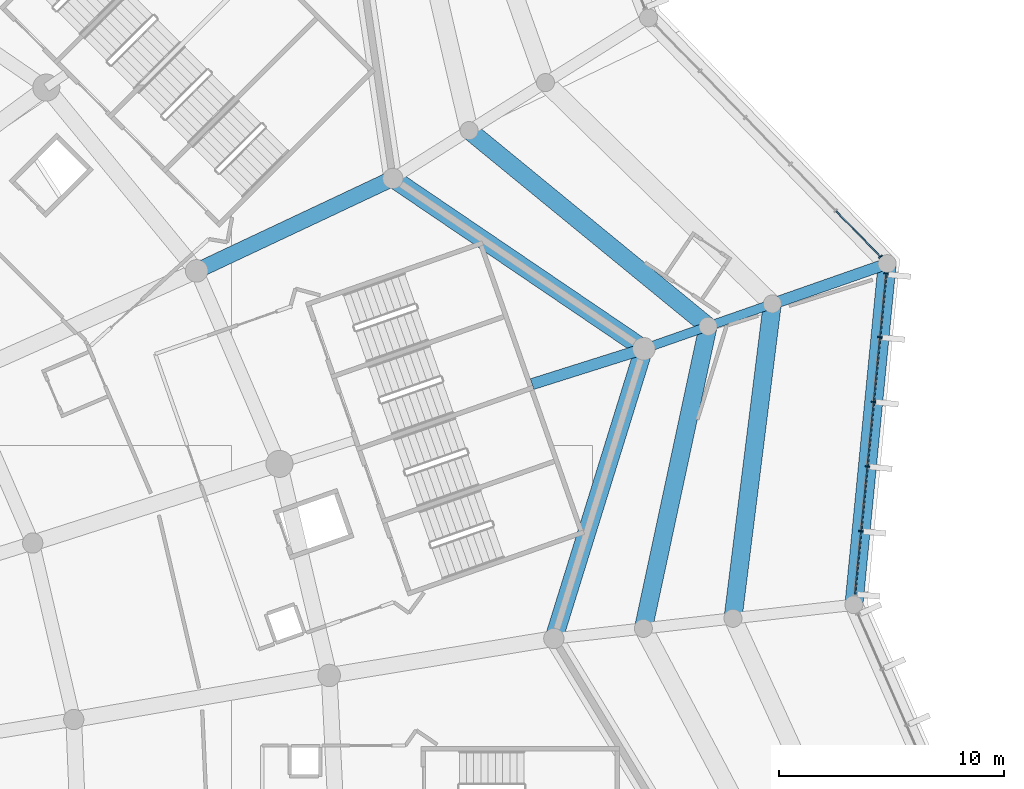
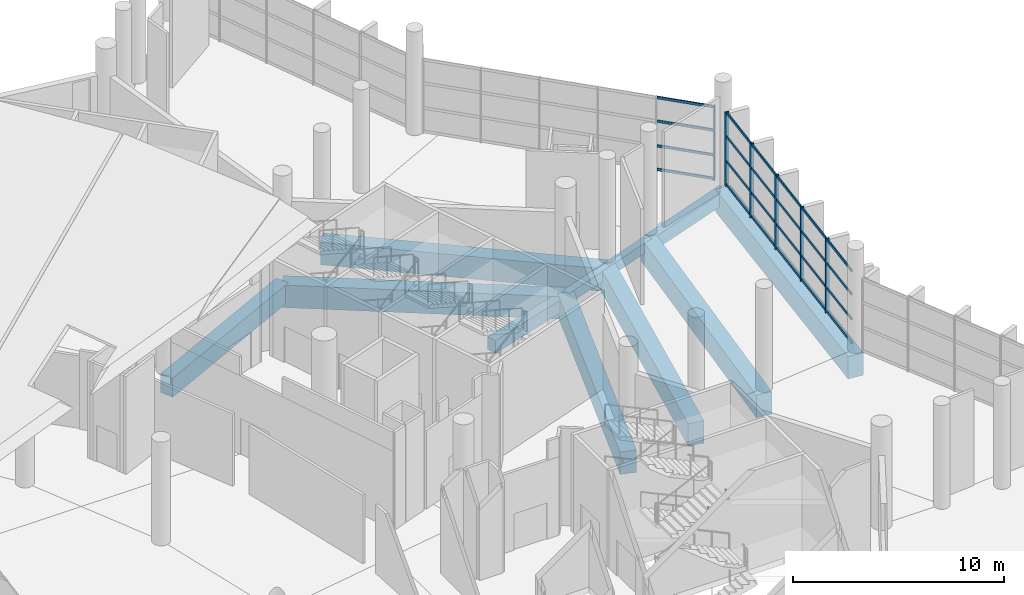
# One storey, part 84 of 249: 30 members, 11 beams, 2 elements without a shape of their own.
"""IFC4 building model written with IfcOpenShell, lengths in metres."""

from ifc_helpers import new_model, si_unit, direction, frame, origin, origin_2d, place, context, subcontext, project, spatial, rectangle, extrude, material, layer, layer_set, material_profile, profile_set, type_object, element, aggregate, save


model = new_model("IFC4")

# Units and contexts
model_context = context("Model", 3, precision=1e-05, world=origin(), true_north=direction((0.0, 1.0)))
body_context = subcontext(model_context, "Body", "Model", "MODEL_VIEW")
ifc_project = project(units=[si_unit("LENGTHUNIT", "METRE"), si_unit("AREAUNIT", "SQUARE_METRE"), si_unit("VOLUMEUNIT", "CUBIC_METRE"), si_unit("PLANEANGLEUNIT", "RADIAN"), si_unit("MASSUNIT", "GRAM", prefix="KILO")], contexts=[model_context])

# Site, building, storey
site_placement = place(None, origin())
site = spatial("IfcSite", under=ifc_project, at=site_placement, CompositionType="ELEMENT")
building_placement = place(site_placement, origin())
building = spatial("IfcBuilding", under=site, at=building_placement, Name="Meseta Stadium", CompositionType="ELEMENT")
storey_placement = place(building_placement, frame((0.0, 0.0, 12.0)))
storey = spatial("IfcBuildingStorey", under=building, at=storey_placement, Name="L02", CompositionType="ELEMENT", Elevation=12.0)

# Beams
ifc_material_1 = material(Name="Concrete C40/50", Category="concrete")
ifc_material_profile_1 = material_profile(ifc_material_1, rectangle(XDim=0.39990234375, YDim=0.60009765625, at=origin_2d()), Name="RC 400x600")
ifc_profile_set_1 = profile_set([ifc_material_profile_1], Name="Concrete C40/50")
beam_type_1 = type_object("IfcBeamType", Name="RC beam 400x600", PredefinedType="BEAM", material=ifc_profile_set_1)
beam_1_placement = place(storey_placement, frame((98.291015625, 68.297607421875, -0.64990234375), z_axis=(0.943904999317, 0.33021712897, 0.0), x_axis=(-0.33021712897, 0.943904999317, 0.0)))
element("IfcBeam", 1, at=beam_1_placement, inside=storey, type_object=beam_type_1, Name="L02 radial beam frame 10 line R to M", PredefinedType="BEAM", context=body_context, shape_type="SweptSolid", body=[
    extrude(rectangle(XDim=0.39990234375, YDim=0.60009765625, at=origin_2d()), origin(), (0.0, 0.0, 1.0), 3.018798828125),
])
beam_2_placement = place(storey_placement, frame((101.140380859375, 69.29443359375, -0.64990234375), z_axis=(0.943888610281, 0.330263972274, 0.0), x_axis=(-0.330263972274, 0.943888610281, 0.0)))
element("IfcBeam", 2, at=beam_2_placement, inside=storey, type_object=beam_type_1, Name="L02 radial beam frame 10 line M to Q", PredefinedType="BEAM", context=body_context, shape_type="SweptSolid", body=[
    extrude(rectangle(XDim=0.39990234375, YDim=0.60009765625, at=origin_2d()), origin(), (0.0, 0.0, 1.0), 3.01904296875),
])
ifc_material_2 = material(Name="Concrete C40/50", Category="concrete")
ifc_material_profile_2 = material_profile(ifc_material_2, rectangle(XDim=0.5, YDim=0.75, at=origin_2d()), Name="RC 500x750")
ifc_profile_set_2 = profile_set([ifc_material_profile_2], Name="Concrete C40/50")
beam_type_2 = type_object("IfcBeamType", Name="RC beam 500x750", PredefinedType="BEAM", material=ifc_profile_set_2)
beam_3_placement = place(storey_placement, frame((93.330078125, 66.73095703125, -0.72509765625), z_axis=(0.953580537384, 0.301138105728, 0.0), x_axis=(-0.301138105728, 0.953580537384, 0.0)))
element("IfcBeam", 3, at=beam_3_placement, inside=storey, type_object=beam_type_2, Name="L02 radial beam frame 10 line P to R", PredefinedType="BEAM", context=body_context, shape_type="SweptSolid", body=[
    extrude(rectangle(XDim=0.5, YDim=0.75, at=origin_2d()), origin(), (0.0, 0.0, 1.0), 5.202392578125),
])
beam_4_placement = place(storey_placement, frame((103.989990234375, 70.29150390625, -0.72509765625), z_axis=(0.943871747737, 0.330312161181, 0.0), x_axis=(-0.330312161181, 0.943871747737, 0.0)))
element("IfcBeam", 4, at=beam_4_placement, inside=storey, type_object=beam_type_2, Name="L02 radial beam frame 10 line Q to O", PredefinedType="BEAM", context=body_context, shape_type="SweptSolid", body=[
    extrude(rectangle(XDim=0.5, YDim=0.75, at=origin_2d()), origin(), (0.0, 0.0, 1.0), 5.39990234375),
])
ifc_material_3 = material(Name="Concrete C40/50", Category="concrete")
ifc_material_profile_3 = material_profile(ifc_material_3, rectangle(XDim=0.699951171875, YDim=1.10009765625, at=origin_2d()), Name="RC 700x1100")
ifc_profile_set_3 = profile_set([ifc_material_profile_3], Name="Concrete C40/50")
beam_type_3 = type_object("IfcBeamType", Name="RC beam 700x1100", PredefinedType="BEAM", material=ifc_profile_set_3)
beam_5_placement = place(storey_placement, frame((78.4453125, 71.756103515625, -0.89990234375), z_axis=(0.904664550747, 0.426124454382, 0.0), x_axis=(-0.426124454382, 0.904664550747, 0.0)))
element("IfcBeam", 5, at=beam_5_placement, inside=storey, type_object=beam_type_3, Name="L02 radial beam frame 11 line P to R", PredefinedType="BEAM", context=body_context, shape_type="SweptSolid", body=[
    extrude(rectangle(XDim=0.699951171875, YDim=1.10009765625, at=origin_2d()), origin(), (0.0, 0.0, 1.0), 9.623046875),
])
ifc_material_4 = material(Name="Concrete C40/50", Category="concrete")
ifc_material_profile_4 = material_profile(ifc_material_4, rectangle(XDim=0.800048828125, YDim=1.300048828125, at=origin_2d()), Name="RC 800x1300")
ifc_profile_set_4 = profile_set([ifc_material_profile_4], Name="Concrete C40/50")
beam_type_4 = type_object("IfcBeamType", Name="RC beam 800x1300", PredefinedType="BEAM", material=ifc_profile_set_4)
beam_6_placement = place(storey_placement, frame((94.29443359375, 55.44140625, -1.0), z_axis=(0.296854913016, 0.954922594045, 0.0), x_axis=(-0.954922594045, 0.296854913016, 0.0)))
element("IfcBeam", 6, at=beam_6_placement, inside=storey, type_object=beam_type_4, Name="L02 ring beam frame 9 line R", PredefinedType="BEAM", context=body_context, shape_type="SweptSolid", body=[
    extrude(rectangle(XDim=0.800048828125, YDim=1.300048828125, at=origin_2d()), origin(), (0.0, 0.0, 1.0), 13.463134765625),
])
beam_7_placement = place(storey_placement, frame((98.291015625, 68.297607421875, -1.0), z_axis=(-0.827486005705, 0.561486340317, 0.0), x_axis=(-0.561486340317, -0.827486005705, 0.0)))
element("IfcBeam", 7, at=beam_7_placement, inside=storey, type_object=beam_type_4, Name="L02 ring beam frame 10 line R", PredefinedType="BEAM", context=body_context, shape_type="SweptSolid", body=[
    extrude(rectangle(XDim=0.800048828125, YDim=1.300048828125, at=origin_2d()), origin(), (0.0, 0.0, 1.0), 13.462646484375),
])
beam_8_placement = place(storey_placement, frame((98.269287109375, 55.889404296875, -1.0), z_axis=(0.209430575028, 0.977823518966, 0.0), x_axis=(-0.977823518966, 0.209430575028, 0.0)))
element("IfcBeam", 8, at=beam_8_placement, inside=storey, type_object=beam_type_4, Name="L02 ring beam frame 9 line M", PredefinedType="BEAM", context=body_context, shape_type="SweptSolid", body=[
    extrude(rectangle(XDim=0.800048828125, YDim=1.300048828125, at=origin_2d()), origin(), (0.0, 0.0, 1.0), 13.708984375),
])
beam_9_placement = place(storey_placement, frame((102.244140625, 56.337158203125, -1.0), z_axis=(0.124143703283, 0.99226424955, 0.0), x_axis=(-0.99226424955, 0.124143703283, 0.0)))
element("IfcBeam", 9, at=beam_9_placement, inside=storey, type_object=beam_type_4, Name="L02 ring beam frame 9 line Q", PredefinedType="BEAM", context=body_context, shape_type="SweptSolid", body=[
    extrude(rectangle(XDim=0.800048828125, YDim=1.300048828125, at=origin_2d()), origin(), (0.0, 0.0, 1.0), 14.063232421875),
])
beam_10_placement = place(storey_placement, frame((107.610107421875, 56.94189453125, -1.0), z_axis=(0.097125179524, 0.99527217358, 0.0), x_axis=(-0.99527217358, 0.097125179524, 0.0)))
element("IfcBeam", 10, at=beam_10_placement, inside=storey, type_object=beam_type_4, Name="L02 ring beam frame 9 line O", PredefinedType="BEAM", context=body_context, shape_type="SweptSolid", body=[
    extrude(rectangle(XDim=0.800048828125, YDim=1.300048828125, at=origin_2d()), origin(), (0.0, 0.0, 1.0), 15.205078125),
])
beam_11_placement = place(storey_placement, frame((101.140380859375, 69.29443359375, -1.0), z_axis=(-0.77340555921, 0.633911540345, 0.0), x_axis=(-0.633911540345, -0.77340555921, 0.0)))
element("IfcBeam", 11, at=beam_11_placement, inside=storey, type_object=beam_type_4, Name="L02 ring beam frame 10 line M", PredefinedType="BEAM", context=body_context, shape_type="SweptSolid", body=[
    extrude(rectangle(XDim=0.800048828125, YDim=1.300048828125, at=origin_2d()), origin(), (0.0, 0.0, 1.0), 13.709228515625),
])

# Curtain wall, members
ifc_material_5 = material(Name="Aluminium", Category="aluminium")
ifc_layer = layer(ifc_material_5, 0.199951171875)
ifc_layer_set = layer_set([ifc_layer], Name="Ring shopfront curtain wall")
curtain_wall_type = type_object("IfcCurtainWallType", Name="Ring shopfront curtain wall", PredefinedType="NOTDEFINED", material=ifc_layer_set)
curtain_wall_1_placement = place(storey_placement, origin())
curtain_wall_1 = element("IfcCurtainWall", 12, at=curtain_wall_1_placement, inside=storey, type_object=curtain_wall_type, Name="Ring glazing L02 F09", PredefinedType="NOTDEFINED")
ifc_material_6 = material(Name="Aluminium", Category="aluminium")
ifc_material_profile_5 = material_profile(ifc_material_6, rectangle(XDim=0.199951171875, YDim=0.06005859375, at=origin_2d()), Name="CW 200x60")
ifc_profile_set_5 = profile_set([ifc_material_profile_5], Name="Aluminium")
member_type_1 = type_object("IfcMemberType", Name="Ring CW mullion 60x200", PredefinedType="MULLION", material=ifc_profile_set_5)
member_1_placement = place(storey_placement, frame((107.9287109375, 60.207275390625, 0.0), z_axis=(0.0, 0.0, 1.0), x_axis=(-0.995272228282, 0.097124618973, 0.0)))
member_1 = element("IfcMember", 13, at=member_1_placement, type_object=member_type_1, Name="CWR1 mullion 2", PredefinedType="MULLION", context=body_context, shape_type="SweptSolid", body=[
    extrude(rectangle(XDim=0.199951171875, YDim=0.06005859375, at=origin_2d()), origin(), (0.0, 0.0, 1.0), 4.300048828125),
])
member_2_placement = place(storey_placement, frame((108.208740234375, 63.07470703125, 0.0), z_axis=(0.0, 0.0, 1.0), x_axis=(-0.995272228282, 0.097124618973, 0.0)))
member_2 = element("IfcMember", 14, at=member_2_placement, type_object=member_type_1, Name="CWR1 mullion 3", PredefinedType="MULLION", context=body_context, shape_type="SweptSolid", body=[
    extrude(rectangle(XDim=0.199951171875, YDim=0.06005859375, at=origin_2d()), origin(), (0.0, 0.0, 1.0), 4.300048828125),
])
member_3_placement = place(storey_placement, frame((108.488525390625, 65.942138671875, 0.0), z_axis=(0.0, 0.0, 1.0), x_axis=(-0.995272228282, 0.097124618973, 0.0)))
member_3 = element("IfcMember", 15, at=member_3_placement, type_object=member_type_1, Name="CWR1 mullion 4", PredefinedType="MULLION", context=body_context, shape_type="SweptSolid", body=[
    extrude(rectangle(XDim=0.199951171875, YDim=0.06005859375, at=origin_2d()), origin(), (0.0, 0.0, 1.0), 4.300048828125),
])
member_4_placement = place(storey_placement, frame((108.768310546875, 68.8095703125, 0.0), z_axis=(0.0, 0.0, 1.0), x_axis=(-0.995272228282, 0.097124618973, 0.0)))
member_4 = element("IfcMember", 16, at=member_4_placement, type_object=member_type_1, Name="CWR1 mullion 5", PredefinedType="MULLION", context=body_context, shape_type="SweptSolid", body=[
    extrude(rectangle(XDim=0.199951171875, YDim=0.06005859375, at=origin_2d()), origin(), (0.0, 0.0, 1.0), 4.300048828125),
])
member_5_placement = place(storey_placement, frame((109.045166015625, 71.647216796875, 0.0), z_axis=(0.0, 0.0, 1.0), x_axis=(-0.995272228282, 0.097124618973, 0.0)))
member_5 = element("IfcMember", 17, at=member_5_placement, type_object=member_type_1, Name="CWR1 mullion 6", PredefinedType="MULLION", context=body_context, shape_type="SweptSolid", body=[
    extrude(rectangle(XDim=0.199951171875, YDim=0.06005859375, at=origin_2d()), origin(), (0.0, 0.0, 1.0), 4.300048828125),
])

# Curtain wall, member
curtain_wall_2_placement = place(storey_placement, origin())
curtain_wall_2 = element("IfcCurtainWall", 18, at=curtain_wall_2_placement, inside=storey, type_object=curtain_wall_type, Name="Ring glazing L02 F10", PredefinedType="NOTDEFINED")
member_6_placement = place(storey_placement, frame((108.787353515625, 72.383544921875, 0.0), z_axis=(0.0, 0.0, 1.0), x_axis=(-0.717583242683, -0.6964727488, 0.0)))
member_6 = element("IfcMember", 19, at=member_6_placement, type_object=member_type_1, Name="CWR1 mullion 1", PredefinedType="MULLION", context=body_context, shape_type="SweptSolid", body=[
    extrude(rectangle(XDim=0.199951171875, YDim=0.06005859375, at=origin_2d()), origin(), (0.0, 0.0, 1.0), 4.300048828125),
])

# Member
ifc_material_7 = material(Name="Aluminium", Category="aluminium")
ifc_material_profile_6 = material_profile(ifc_material_7, rectangle(XDim=0.06005859375, YDim=0.14990234375, at=origin_2d()), Name="CW 60x150")
ifc_profile_set_6 = profile_set([ifc_material_profile_6], Name="Aluminium")
member_type_2 = type_object("IfcMemberType", Name="Ring CW transom 60x150", PredefinedType="USERDEFINED", material=ifc_profile_set_6)
member_7_placement = place(storey_placement, frame((107.65478515625, 57.399658203125, 0.074951171875), z_axis=(0.097182385377, 0.995266589398, 0.0), x_axis=(-0.995266589398, 0.097182385377, 0.0)))
member_7 = element("IfcMember", 20, at=member_7_placement, type_object=member_type_2, Name="CWR1 transom 1.1", ObjectType="TRANSOM", PredefinedType="USERDEFINED", context=body_context, shape_type="SweptSolid", body=[
    extrude(rectangle(XDim=0.06005859375, YDim=0.14990234375, at=origin_2d()), origin(), (0.0, 0.0, 1.0), 2.791015625),
])

member_8_placement = place(storey_placement, frame((107.65478515625, 57.399658203125, 1.433349609375), z_axis=(0.097182385377, 0.995266589398, 0.0), x_axis=(-0.995266589398, 0.097182385377, 0.0)))
member_8 = element("IfcMember", 21, at=member_8_placement, type_object=member_type_2, Name="CWR1 transom 1.2", ObjectType="TRANSOM", PredefinedType="USERDEFINED", context=body_context, shape_type="SweptSolid", body=[
    extrude(rectangle(XDim=0.06005859375, YDim=0.14990234375, at=origin_2d()), origin(), (0.0, 0.0, 1.0), 2.791015625),
])

member_9_placement = place(storey_placement, frame((107.65478515625, 57.399658203125, 2.86669921875), z_axis=(0.097182385377, 0.995266589398, 0.0), x_axis=(-0.995266589398, 0.097182385377, 0.0)))
member_9 = element("IfcMember", 22, at=member_9_placement, type_object=member_type_2, Name="CWR1 transom 1.3", ObjectType="TRANSOM", PredefinedType="USERDEFINED", context=body_context, shape_type="SweptSolid", body=[
    extrude(rectangle(XDim=0.06005859375, YDim=0.14990234375, at=origin_2d()), origin(), (0.0, 0.0, 1.0), 2.791015625),
])

member_10_placement = place(storey_placement, frame((107.65478515625, 57.399658203125, 4.22509765625), z_axis=(0.097182385377, 0.995266589398, 0.0), x_axis=(-0.995266589398, 0.097182385377, 0.0)))
member_10 = element("IfcMember", 23, at=member_10_placement, type_object=member_type_2, Name="CWR1 transom 1.4", ObjectType="TRANSOM", PredefinedType="USERDEFINED", context=body_context, shape_type="SweptSolid", body=[
    extrude(rectangle(XDim=0.06005859375, YDim=0.14990234375, at=origin_2d()), origin(), (0.0, 0.0, 1.0), 2.791015625),
])

member_11_placement = place(storey_placement, frame((107.931640625, 60.237060546875, 0.074951171875), z_axis=(0.097181503917, 0.995266675468, 0.0), x_axis=(-0.995266675468, 0.097181503917, 0.0)))
member_11 = element("IfcMember", 24, at=member_11_placement, type_object=member_type_2, Name="CWR1 transom 2.1", ObjectType="TRANSOM", PredefinedType="USERDEFINED", context=body_context, shape_type="SweptSolid", body=[
    extrude(rectangle(XDim=0.06005859375, YDim=0.14990234375, at=origin_2d()), origin(), (0.0, 0.0, 1.0), 2.8212890625),
])

member_12_placement = place(storey_placement, frame((107.931640625, 60.237060546875, 1.433349609375), z_axis=(0.097181503917, 0.995266675468, 0.0), x_axis=(-0.995266675468, 0.097181503917, 0.0)))
member_12 = element("IfcMember", 25, at=member_12_placement, type_object=member_type_2, Name="CWR1 transom 2.2", ObjectType="TRANSOM", PredefinedType="USERDEFINED", context=body_context, shape_type="SweptSolid", body=[
    extrude(rectangle(XDim=0.06005859375, YDim=0.14990234375, at=origin_2d()), origin(), (0.0, 0.0, 1.0), 2.8212890625),
])

member_13_placement = place(storey_placement, frame((107.931640625, 60.237060546875, 2.86669921875), z_axis=(0.097181503917, 0.995266675468, 0.0), x_axis=(-0.995266675468, 0.097181503917, 0.0)))
member_13 = element("IfcMember", 26, at=member_13_placement, type_object=member_type_2, Name="CWR1 transom 2.3", ObjectType="TRANSOM", PredefinedType="USERDEFINED", context=body_context, shape_type="SweptSolid", body=[
    extrude(rectangle(XDim=0.06005859375, YDim=0.14990234375, at=origin_2d()), origin(), (0.0, 0.0, 1.0), 2.8212890625),
])

member_14_placement = place(storey_placement, frame((107.931640625, 60.237060546875, 4.22509765625), z_axis=(0.097181503917, 0.995266675468, 0.0), x_axis=(-0.995266675468, 0.097181503917, 0.0)))
member_14 = element("IfcMember", 27, at=member_14_placement, type_object=member_type_2, Name="CWR1 transom 2.4", ObjectType="TRANSOM", PredefinedType="USERDEFINED", context=body_context, shape_type="SweptSolid", body=[
    extrude(rectangle(XDim=0.06005859375, YDim=0.14990234375, at=origin_2d()), origin(), (0.0, 0.0, 1.0), 2.8212890625),
])

member_15_placement = place(storey_placement, frame((108.211669921875, 63.1044921875, 0.074951171875), z_axis=(0.097095782713, 0.995275041875, 0.0), x_axis=(-0.995275041875, 0.097095782713, 0.0)))
member_15 = element("IfcMember", 28, at=member_15_placement, type_object=member_type_2, Name="CWR1 transom 3.1", ObjectType="TRANSOM", PredefinedType="USERDEFINED", context=body_context, shape_type="SweptSolid", body=[
    extrude(rectangle(XDim=0.06005859375, YDim=0.14990234375, at=origin_2d()), origin(), (0.0, 0.0, 1.0), 2.8212890625),
])

member_16_placement = place(storey_placement, frame((108.211669921875, 63.1044921875, 1.433349609375), z_axis=(0.097095782713, 0.995275041875, 0.0), x_axis=(-0.995275041875, 0.097095782713, 0.0)))
member_16 = element("IfcMember", 29, at=member_16_placement, type_object=member_type_2, Name="CWR1 transom 3.2", ObjectType="TRANSOM", PredefinedType="USERDEFINED", context=body_context, shape_type="SweptSolid", body=[
    extrude(rectangle(XDim=0.06005859375, YDim=0.14990234375, at=origin_2d()), origin(), (0.0, 0.0, 1.0), 2.8212890625),
])

member_17_placement = place(storey_placement, frame((108.211669921875, 63.1044921875, 2.86669921875), z_axis=(0.097095782713, 0.995275041875, 0.0), x_axis=(-0.995275041875, 0.097095782713, 0.0)))
member_17 = element("IfcMember", 30, at=member_17_placement, type_object=member_type_2, Name="CWR1 transom 3.3", ObjectType="TRANSOM", PredefinedType="USERDEFINED", context=body_context, shape_type="SweptSolid", body=[
    extrude(rectangle(XDim=0.06005859375, YDim=0.14990234375, at=origin_2d()), origin(), (0.0, 0.0, 1.0), 2.8212890625),
])

member_18_placement = place(storey_placement, frame((108.211669921875, 63.1044921875, 4.22509765625), z_axis=(0.097095782713, 0.995275041875, 0.0), x_axis=(-0.995275041875, 0.097095782713, 0.0)))
member_18 = element("IfcMember", 31, at=member_18_placement, type_object=member_type_2, Name="CWR1 transom 3.4", ObjectType="TRANSOM", PredefinedType="USERDEFINED", context=body_context, shape_type="SweptSolid", body=[
    extrude(rectangle(XDim=0.06005859375, YDim=0.14990234375, at=origin_2d()), origin(), (0.0, 0.0, 1.0), 2.8212890625),
])

member_19_placement = place(storey_placement, frame((108.491455078125, 65.971923828125, 0.074951171875), z_axis=(0.097095782713, 0.995275041875, 0.0), x_axis=(-0.995275041875, 0.097095782713, 0.0)))
member_19 = element("IfcMember", 32, at=member_19_placement, type_object=member_type_2, Name="CWR1 transom 4.1", ObjectType="TRANSOM", PredefinedType="USERDEFINED", context=body_context, shape_type="SweptSolid", body=[
    extrude(rectangle(XDim=0.06005859375, YDim=0.14990234375, at=origin_2d()), origin(), (0.0, 0.0, 1.0), 2.8212890625),
])

member_20_placement = place(storey_placement, frame((108.491455078125, 65.971923828125, 1.433349609375), z_axis=(0.097095782713, 0.995275041875, 0.0), x_axis=(-0.995275041875, 0.097095782713, 0.0)))
member_20 = element("IfcMember", 33, at=member_20_placement, type_object=member_type_2, Name="CWR1 transom 4.2", ObjectType="TRANSOM", PredefinedType="USERDEFINED", context=body_context, shape_type="SweptSolid", body=[
    extrude(rectangle(XDim=0.06005859375, YDim=0.14990234375, at=origin_2d()), origin(), (0.0, 0.0, 1.0), 2.8212890625),
])

member_21_placement = place(storey_placement, frame((108.491455078125, 65.971923828125, 2.86669921875), z_axis=(0.097095782713, 0.995275041875, 0.0), x_axis=(-0.995275041875, 0.097095782713, 0.0)))
member_21 = element("IfcMember", 34, at=member_21_placement, type_object=member_type_2, Name="CWR1 transom 4.3", ObjectType="TRANSOM", PredefinedType="USERDEFINED", context=body_context, shape_type="SweptSolid", body=[
    extrude(rectangle(XDim=0.06005859375, YDim=0.14990234375, at=origin_2d()), origin(), (0.0, 0.0, 1.0), 2.8212890625),
])

member_22_placement = place(storey_placement, frame((108.491455078125, 65.971923828125, 4.22509765625), z_axis=(0.097095782713, 0.995275041875, 0.0), x_axis=(-0.995275041875, 0.097095782713, 0.0)))
member_22 = element("IfcMember", 35, at=member_22_placement, type_object=member_type_2, Name="CWR1 transom 4.4", ObjectType="TRANSOM", PredefinedType="USERDEFINED", context=body_context, shape_type="SweptSolid", body=[
    extrude(rectangle(XDim=0.06005859375, YDim=0.14990234375, at=origin_2d()), origin(), (0.0, 0.0, 1.0), 2.8212890625),
])

member_23_placement = place(storey_placement, frame((108.771240234375, 68.83935546875, 0.074951171875), z_axis=(0.097095737509, 0.995275046285, 0.0), x_axis=(-0.995275046285, 0.097095737509, 0.0)))
member_23 = element("IfcMember", 36, at=member_23_placement, type_object=member_type_2, Name="CWR1 transom 5.1", ObjectType="TRANSOM", PredefinedType="USERDEFINED", context=body_context, shape_type="SweptSolid", body=[
    extrude(rectangle(XDim=0.06005859375, YDim=0.14990234375, at=origin_2d()), origin(), (0.0, 0.0, 1.0), 2.791015625),
])

member_24_placement = place(storey_placement, frame((108.771240234375, 68.83935546875, 1.433349609375), z_axis=(0.097095737509, 0.995275046285, 0.0), x_axis=(-0.995275046285, 0.097095737509, 0.0)))
member_24 = element("IfcMember", 37, at=member_24_placement, type_object=member_type_2, Name="CWR1 transom 5.2", ObjectType="TRANSOM", PredefinedType="USERDEFINED", context=body_context, shape_type="SweptSolid", body=[
    extrude(rectangle(XDim=0.06005859375, YDim=0.14990234375, at=origin_2d()), origin(), (0.0, 0.0, 1.0), 2.791015625),
])

member_25_placement = place(storey_placement, frame((108.771240234375, 68.83935546875, 2.86669921875), z_axis=(0.097095737509, 0.995275046285, 0.0), x_axis=(-0.995275046285, 0.097095737509, 0.0)))
member_25 = element("IfcMember", 38, at=member_25_placement, type_object=member_type_2, Name="CWR1 transom 5.3", ObjectType="TRANSOM", PredefinedType="USERDEFINED", context=body_context, shape_type="SweptSolid", body=[
    extrude(rectangle(XDim=0.06005859375, YDim=0.14990234375, at=origin_2d()), origin(), (0.0, 0.0, 1.0), 2.791015625),
])

member_26_placement = place(storey_placement, frame((108.771240234375, 68.83935546875, 4.22509765625), z_axis=(0.097095737509, 0.995275046285, 0.0), x_axis=(-0.995275046285, 0.097095737509, 0.0)))
member_26 = element("IfcMember", 39, at=member_26_placement, type_object=member_type_2, Name="CWR1 transom 5.4", ObjectType="TRANSOM", PredefinedType="USERDEFINED", context=body_context, shape_type="SweptSolid", body=[
    extrude(rectangle(XDim=0.06005859375, YDim=0.14990234375, at=origin_2d()), origin(), (0.0, 0.0, 1.0), 2.791015625),
])

aggregate(curtain_wall_1, [member_1, member_2, member_3, member_4, member_5, member_7, member_8, member_9, member_10, member_11, member_12, member_13, member_14, member_15, member_16, member_17, member_18, member_19, member_20, member_21, member_22, member_23, member_24, member_25, member_26])

member_27_placement = place(storey_placement, frame((108.7666015625, 72.4052734375, 0.074951171875), z_axis=(-0.696487300363, 0.717569118924, 0.0), x_axis=(-0.717569118924, -0.696487300363, 0.0)))
member_27 = element("IfcMember", 40, at=member_27_placement, type_object=member_type_2, Name="CWR1 transom 1.1", ObjectType="TRANSOM", PredefinedType="USERDEFINED", context=body_context, shape_type="SweptSolid", body=[
    extrude(rectangle(XDim=0.06005859375, YDim=0.14990234375, at=origin_2d()), origin(), (0.0, 0.0, 1.0), 2.791015625),
])

member_28_placement = place(storey_placement, frame((108.7666015625, 72.4052734375, 1.433349609375), z_axis=(-0.696487300363, 0.717569118924, 0.0), x_axis=(-0.717569118924, -0.696487300363, 0.0)))
member_28 = element("IfcMember", 41, at=member_28_placement, type_object=member_type_2, Name="CWR1 transom 1.2", ObjectType="TRANSOM", PredefinedType="USERDEFINED", context=body_context, shape_type="SweptSolid", body=[
    extrude(rectangle(XDim=0.06005859375, YDim=0.14990234375, at=origin_2d()), origin(), (0.0, 0.0, 1.0), 2.791015625),
])

member_29_placement = place(storey_placement, frame((108.7666015625, 72.4052734375, 2.86669921875), z_axis=(-0.696487300363, 0.717569118924, 0.0), x_axis=(-0.717569118924, -0.696487300363, 0.0)))
member_29 = element("IfcMember", 42, at=member_29_placement, type_object=member_type_2, Name="CWR1 transom 1.3", ObjectType="TRANSOM", PredefinedType="USERDEFINED", context=body_context, shape_type="SweptSolid", body=[
    extrude(rectangle(XDim=0.06005859375, YDim=0.14990234375, at=origin_2d()), origin(), (0.0, 0.0, 1.0), 2.791015625),
])

member_30_placement = place(storey_placement, frame((108.7666015625, 72.4052734375, 4.22509765625), z_axis=(-0.696487300363, 0.717569118924, 0.0), x_axis=(-0.717569118924, -0.696487300363, 0.0)))
member_30 = element("IfcMember", 43, at=member_30_placement, type_object=member_type_2, Name="CWR1 transom 1.4", ObjectType="TRANSOM", PredefinedType="USERDEFINED", context=body_context, shape_type="SweptSolid", body=[
    extrude(rectangle(XDim=0.06005859375, YDim=0.14990234375, at=origin_2d()), origin(), (0.0, 0.0, 1.0), 2.791015625),
])

aggregate(curtain_wall_2, [member_6, member_27, member_28, member_29, member_30])

save(model, "model.ifc")
